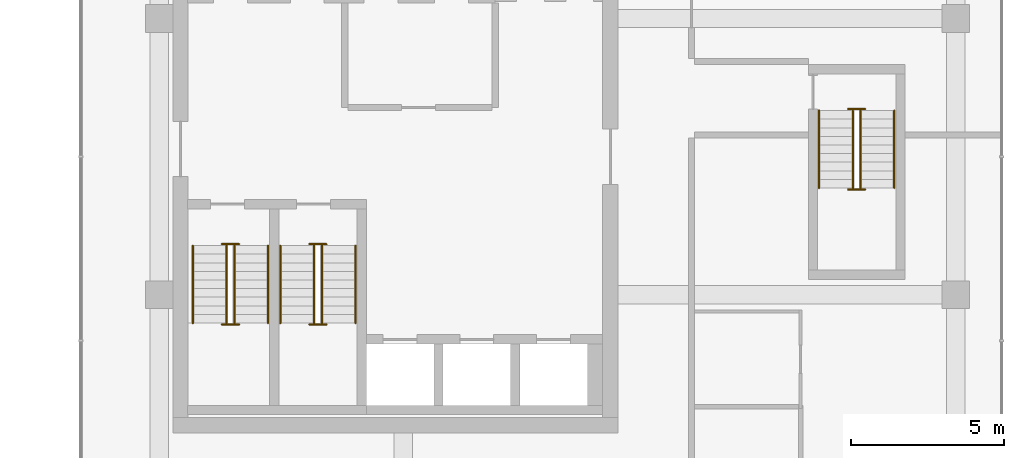
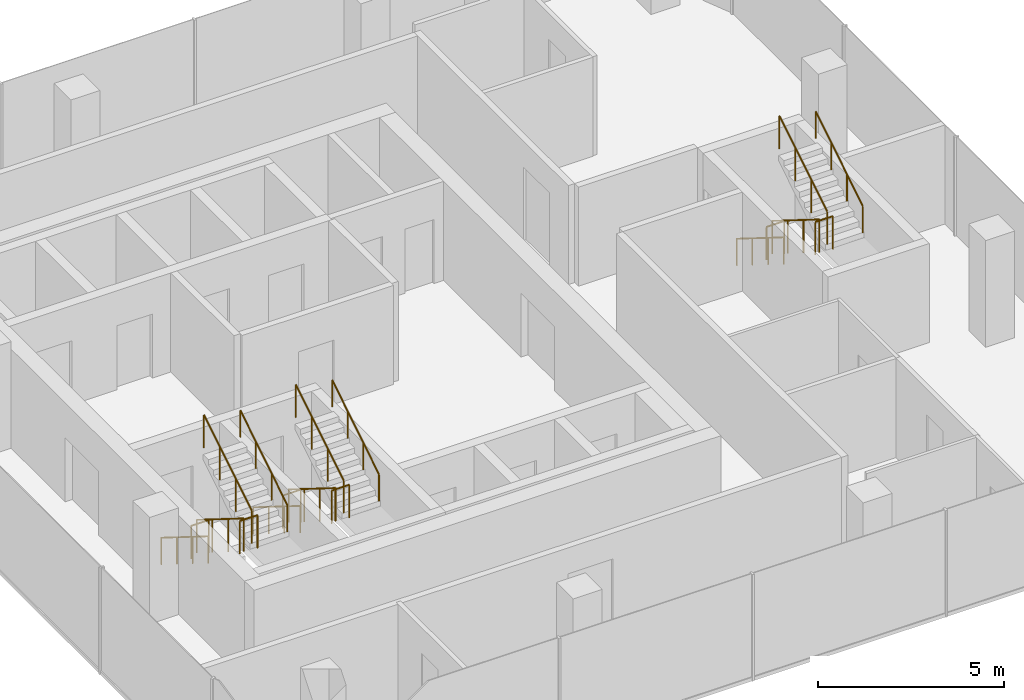
# One storey, part 22 of 22: 18 railings.
"""IFC4 building model written with IfcOpenShell, lengths in metres."""

import ifcopenshell
import ifcopenshell.guid

model = None  # the IFC model being written
_history = None  # IfcOwnerHistory: only IFC2X3 demands one
_inside = {}  # id of a spatial element -> (the spatial element, [elements in it])
_under = {}  # id of a project, library or spatial element -> (it, [spatial elements below it])
_declared = {}  # id of a project -> (the project, [libraries it declares])
_typed = {}  # id of a type object -> (the type object, [elements of that type])
_made_of = {}  # id of a material, layer set ... -> (it, [elements and type objects made of it])


def new_model(schema):
    """Start an empty IFC model of exactly this schema.

    Asked for "IFC4X3", IfcOpenShell would pick the latest addendum, in which some entities
    have other attributes; the version numbers below select the first issue.
    IFC2X3 requires an IfcOwnerHistory on every rooted entity: one is made here for all.
    """
    global model, _history
    if schema == "IFC4X3":
        model = ifcopenshell.file(schema_version=(4, 3, 0, 0))
    else:
        model = ifcopenshell.file(schema=schema)
    _inside.clear()
    _under.clear()
    _declared.clear()
    _typed.clear()
    _made_of.clear()
    _history = None
    if model.schema == "IFC2X3":
        org = make("IfcOrganization", Name="unknown")
        user = make(
            "IfcPersonAndOrganization",
            ThePerson=make("IfcPerson", FamilyName="unknown"),
            TheOrganization=org,
        )
        app = make(
            "IfcApplication",
            ApplicationDeveloper=org,
            Version="unknown",
            ApplicationFullName="unknown",
            ApplicationIdentifier="unknown",
        )
        _history = make(
            "IfcOwnerHistory",
            OwningUser=user,
            OwningApplication=app,
            ChangeAction="ADDED",
            CreationDate=0,
        )
    return model


def make(cls, **values):
    """One entity of the class cls with the attributes given. An attribute that is None is left unset."""
    return model.create_entity(
        cls, **{name: value for name, value in values.items() if value is not None}
    )


def rooted(cls, **values):
    """An entity with a GlobalId (a new one), such as an element, a storey or a relation."""
    return make(cls, GlobalId=ifcopenshell.guid.new(), OwnerHistory=_history, **values)


def si_unit(unit_type, name, prefix=None):
    """IfcSIUnit, for example si_unit("LENGTHUNIT", "METRE", prefix="MILLI")."""
    return make("IfcSIUnit", UnitType=unit_type, Prefix=prefix, Name=name)


def assignment(units):
    """IfcUnitAssignment: the units of a project."""
    return None if units is None else make("IfcUnitAssignment", Units=units)


def point(xyz):
    """IfcCartesianPoint."""
    return None if xyz is None else make("IfcCartesianPoint", Coordinates=xyz)


def direction(xyz):
    """IfcDirection."""
    return None if xyz is None else make("IfcDirection", DirectionRatios=xyz)


def frame(location, z_axis=None, x_axis=None):
    """IfcAxis2Placement3D, a coordinate frame: its origin and axes. An axis left out is left unset."""
    return make(
        "IfcAxis2Placement3D",
        Location=point(location),
        Axis=direction(z_axis),
        RefDirection=direction(x_axis),
    )


def frame_2d(location, x_axis=None):
    """IfcAxis2Placement2D, a coordinate frame in the plane: its origin and x axis."""
    return make(
        "IfcAxis2Placement2D", Location=point(location), RefDirection=direction(x_axis)
    )


def origin():
    """The frame at (0, 0, 0) with its axes left unset."""
    return frame((0.0, 0.0, 0.0))


def origin_2d():
    """The frame at (0, 0) in the plane with its x axis left unset."""
    return frame_2d((0.0, 0.0))


def place(relative_to, where):
    """IfcLocalPlacement: puts the frame where relative to a parent placement (None: the world)."""
    return make(
        "IfcLocalPlacement", PlacementRelTo=relative_to, RelativePlacement=where
    )


def context(
    kind, dimensions, precision=None, world=None, true_north=None, identifier=None
):
    """IfcGeometricRepresentationContext, for example the 3D "Model" context."""
    return make(
        "IfcGeometricRepresentationContext",
        ContextIdentifier=identifier,
        ContextType=kind,
        CoordinateSpaceDimension=dimensions,
        Precision=precision,
        WorldCoordinateSystem=world,
        TrueNorth=true_north,
    )


def subcontext(parent, identifier, kind, view, scale=None):
    """IfcGeometricRepresentationSubContext, for example "Body" below "Model"."""
    return make(
        "IfcGeometricRepresentationSubContext",
        ContextIdentifier=identifier,
        ContextType=kind,
        ParentContext=parent,
        TargetScale=scale,
        TargetView=view,
    )


def project(units=None, contexts=None):
    """IfcProject with its units and contexts."""
    return rooted(
        "IfcProject",
        Name="project",
        RepresentationContexts=contexts,
        UnitsInContext=assignment(units),
    )


def spatial(cls, under=None, at=None, **own):
    """A site, building, storey or space (cls), placed at a placement, below another one or the project."""
    s = rooted(cls, ObjectPlacement=at, **own)
    if under is not None:
        _under.setdefault(under.id(), (under, []))[1].append(s)
    return s


def profile(cls, at=None, kind="AREA", **sizes):
    """A parametric profile (cls). Its sizes go by their IFC names, for example OverallWidth=200.0."""
    return make(cls, ProfileType=kind, Position=at, **sizes)


def circle(**sizes):
    """IfcCircleProfileDef."""
    return profile("IfcCircleProfileDef", **sizes)


def extrude(swept, where, along, depth):
    """IfcExtrudedAreaSolid: the profile swept, set in the frame where, extruded along a direction by depth."""
    return make(
        "IfcExtrudedAreaSolid",
        SweptArea=swept,
        Position=where,
        ExtrudedDirection=direction(along),
        Depth=depth,
    )


def shape(context_of_items, identifier, shape_type, items):
    """IfcShapeRepresentation: the items that make up one representation, for example the "Body"."""
    return make(
        "IfcShapeRepresentation",
        ContextOfItems=context_of_items,
        RepresentationIdentifier=identifier,
        RepresentationType=shape_type,
        Items=items,
    )


def material(Name=None, Category=None):
    """IfcMaterial."""
    return make("IfcMaterial", Name=Name, Category=Category)


def made_of(thing, what):
    """Note that an element or type object is made of a material, layer set ...; save() writes the relation."""
    if what is not None:
        _made_of.setdefault(what.id(), (what, []))[1].append(thing)
    return thing


def type_object(cls, material=None, **own):
    """A type object (cls), such as IfcWallType, which elements share."""
    return made_of(rooted(cls, **own), material)


def element(
    cls,
    number,
    at=None,
    inside=None,
    cuts=None,
    type_object=None,
    material=None,
    context=None,
    identifier="Body",
    shape_type=None,
    held_by="IfcProductDefinitionShape",
    body=None,
    shapes=None,
    **own,
):
    """One element of the class cls, such as IfcWall. Its Tag is "e" and its number.

    at: its placement. inside: the storey or other place that contains it. cuts: it is an
    opening in that element (IfcRelVoidsElement). A single representation is given by context,
    identifier, shape_type and body (its items); several are given by shapes. held_by: the class
    of the entity that holds the representations. save() writes the other relations.
    """
    e = rooted(cls, Tag="e%d" % number, ObjectPlacement=at, **own)
    if body is not None:
        shapes = [shape(context, identifier, shape_type, body)]
    if shapes is not None:
        e.Representation = make(held_by, Representations=shapes)
    if inside is not None:
        _inside.setdefault(inside.id(), (inside, []))[1].append(e)
    if cuts is not None:
        rooted(
            "IfcRelVoidsElement", RelatingBuildingElement=cuts, RelatedOpeningElement=e
        )
    if type_object is not None:
        _typed.setdefault(type_object.id(), (type_object, []))[1].append(e)
    return made_of(e, material)


def aggregate(whole, parts):
    """IfcRelAggregates: a whole, such as a stair, and the parts it consists of."""
    return rooted("IfcRelAggregates", RelatingObject=whole, RelatedObjects=parts)


def save(model, path):
    """Write the relations noted so far, then the file.

    IfcRelAggregates (storeys below a building ...), IfcRelContainedInSpatialStructure (elements
    in a storey), IfcRelDefinesByType, IfcRelAssociatesMaterial and IfcRelDeclares: one each for
    every whole, place, type object, material and project.
    """
    for whole, parts in _under.values():
        aggregate(whole, parts)
    for where, things in _inside.values():
        rooted(
            "IfcRelContainedInSpatialStructure",
            RelatedElements=things,
            RelatingStructure=where,
        )
    for kind, things in _typed.values():
        rooted("IfcRelDefinesByType", RelatedObjects=things, RelatingType=kind)
    for what, things in _made_of.values():
        rooted("IfcRelAssociatesMaterial", RelatedObjects=things, RelatingMaterial=what)
    for by, libraries in _declared.values():
        rooted("IfcRelDeclares", RelatingContext=by, RelatedDefinitions=libraries)
    model.write(path)


model = new_model("IFC4")

# Units and contexts
model_context = context("Model", 3, precision=1e-05, world=origin(), true_north=direction((0.0, 1.0)))
body_context = subcontext(model_context, "Body", "Model", "MODEL_VIEW")
ifc_project = project(units=[si_unit("LENGTHUNIT", "METRE"), si_unit("AREAUNIT", "SQUARE_METRE"), si_unit("VOLUMEUNIT", "CUBIC_METRE"), si_unit("PLANEANGLEUNIT", "RADIAN"), si_unit("MASSUNIT", "GRAM", prefix="KILO")], contexts=[model_context])

# Site, building, storey
site_placement = place(None, origin())
site = spatial("IfcSite", under=ifc_project, at=site_placement, CompositionType="ELEMENT")
building_placement = place(site_placement, origin())
building = spatial("IfcBuilding", under=site, at=building_placement, Name="Plateau Cross Towers", CompositionType="ELEMENT")
storey_placement = place(building_placement, frame((0.0, 0.0, 58.300048828125)))
storey = spatial("IfcBuildingStorey", under=building, at=storey_placement, Name="L14", CompositionType="ELEMENT", Elevation=58.300048828125)

# Railings
ifc_material_1 = material(Name="Stainless steel and toughened glass", Category="steel")
railing_type_1 = type_object("IfcRailingType", Name="RL-GUARD-1100", PredefinedType="GUARDRAIL", material=ifc_material_1)
railing_1_placement = place(storey_placement, frame((76.75, 6.10009765625, 0.175048828125)))
element("IfcRailing", 1, at=railing_1_placement, inside=storey, type_object=railing_type_1, Name="L14 SB-1 stair guard 1", PredefinedType="GUARDRAIL", context=body_context, shape_type="SweptSolid", body=[
    extrude(circle(Radius=0.02392578125, at=origin_2d()), frame((0.0, 0.0, 1.076171875), z_axis=(0.0, -0.848007534815, 0.529984170421), x_axis=(1.0, 0.0, 0.0)), (0.0, 0.0, 1.0), 2.9716796875),
    extrude(circle(Radius=0.02099609375, at=origin_2d()), origin(), (0.0, 0.0, 1.0), 1.052001953125),
    extrude(circle(Radius=0.02099609375, at=origin_2d()), frame((0.0, -0.840087890625, 0.52490234375)), (0.0, 0.0, 1.0), 1.052001953125),
    extrude(circle(Radius=0.02099609375, at=origin_2d()), frame((0.0, -1.679931640625, 1.050048828125)), (0.0, 0.0, 1.0), 1.052001953125),
    extrude(circle(Radius=0.02099609375, at=origin_2d()), frame((0.0, -2.52001953125, 1.574951171875)), (0.0, 0.0, 1.0), 1.052001953125),
])
railing_2_placement = place(storey_placement, frame((76.60009765625, 3.530029296875, 1.75)))
element("IfcRailing", 2, at=railing_2_placement, inside=storey, type_object=railing_type_1, Name="L14 SB-1 stair guard 2", PredefinedType="GUARDRAIL", context=body_context, shape_type="SweptSolid", body=[
    extrude(circle(Radius=0.02392578125, at=origin_2d()), frame((0.0, 0.0, 1.076171875), z_axis=(1.0, 0.0, 0.0), x_axis=(0.0, 1.0, 0.0)), (0.0, 0.0, 1.0), 0.5498046875),
    extrude(circle(Radius=0.02099609375, at=origin_2d()), origin(), (0.0, 0.0, 1.0), 1.052001953125),
    extrude(circle(Radius=0.02099609375, at=origin_2d()), frame((0.5498046875, 0.0, 0.0)), (0.0, 0.0, 1.0), 1.052001953125),
])
railing_3_placement = place(storey_placement, frame((77.0, 3.580078125, 1.925048828125)))
element("IfcRailing", 3, at=railing_3_placement, inside=storey, type_object=railing_type_1, Name="L14 SB-1 stair guard 3", PredefinedType="GUARDRAIL", context=body_context, shape_type="SweptSolid", body=[
    extrude(circle(Radius=0.02392578125, at=origin_2d()), frame((0.0, 0.0, 1.076171875), z_axis=(0.0, 0.852616386126, 0.522537365276), x_axis=(-1.0, 0.0, 0.0)), (0.0, 0.0, 1.0), 3.01416015625),
    extrude(circle(Radius=0.02099609375, at=origin_2d()), origin(), (0.0, 0.0, 1.0), 1.052001953125),
    extrude(circle(Radius=0.02099609375, at=origin_2d()), frame((0.0, 0.856689453125, 0.52490234375)), (0.0, 0.0, 1.0), 1.052001953125),
    extrude(circle(Radius=0.02099609375, at=origin_2d()), frame((0.0, 1.713134765625, 1.050048828125)), (0.0, 0.0, 1.0), 1.052001953125),
    extrude(circle(Radius=0.02099609375, at=origin_2d()), frame((0.0, 2.56982421875, 1.574951171875)), (0.0, 0.0, 1.0), 1.052001953125),
])
railing_4_placement = place(storey_placement, frame((76.60009765625, 6.14990234375, 0.0)))
element("IfcRailing", 4, at=railing_4_placement, inside=storey, type_object=railing_type_1, Name="L14 SB-1 stair guard 4", PredefinedType="GUARDRAIL", context=body_context, shape_type="SweptSolid", body=[
    extrude(circle(Radius=0.02392578125, at=origin_2d()), frame((0.0, 0.0, 1.076171875), z_axis=(1.0, 0.0, 0.0), x_axis=(0.0, 1.0, 0.0)), (0.0, 0.0, 1.0), 0.5498046875),
    extrude(circle(Radius=0.02099609375, at=origin_2d()), origin(), (0.0, 0.0, 1.0), 1.052001953125),
    extrude(circle(Radius=0.02099609375, at=origin_2d()), frame((0.5498046875, 0.0, 0.0)), (0.0, 0.0, 1.0), 1.052001953125),
])
railing_5_placement = place(storey_placement, frame((79.60009765625, 6.10009765625, 0.175048828125)))
element("IfcRailing", 5, at=railing_5_placement, inside=storey, type_object=railing_type_1, Name="L14 SB-2 stair guard 1", PredefinedType="GUARDRAIL", context=body_context, shape_type="SweptSolid", body=[
    extrude(circle(Radius=0.02392578125, at=origin_2d()), frame((0.0, 0.0, 1.076171875), z_axis=(0.0, -0.848007534815, 0.529984170421), x_axis=(1.0, 0.0, 0.0)), (0.0, 0.0, 1.0), 2.9716796875),
    extrude(circle(Radius=0.02099609375, at=origin_2d()), origin(), (0.0, 0.0, 1.0), 1.052001953125),
    extrude(circle(Radius=0.02099609375, at=origin_2d()), frame((0.0, -0.840087890625, 0.52490234375)), (0.0, 0.0, 1.0), 1.052001953125),
    extrude(circle(Radius=0.02099609375, at=origin_2d()), frame((0.0, -1.679931640625, 1.050048828125)), (0.0, 0.0, 1.0), 1.052001953125),
    extrude(circle(Radius=0.02099609375, at=origin_2d()), frame((0.0, -2.52001953125, 1.574951171875)), (0.0, 0.0, 1.0), 1.052001953125),
])
railing_6_placement = place(storey_placement, frame((79.449951171875, 3.530029296875, 1.75)))
element("IfcRailing", 6, at=railing_6_placement, inside=storey, type_object=railing_type_1, Name="L14 SB-2 stair guard 2", PredefinedType="GUARDRAIL", context=body_context, shape_type="SweptSolid", body=[
    extrude(circle(Radius=0.02392578125, at=origin_2d()), frame((0.0, 0.0, 1.076171875), z_axis=(1.0, 0.0, 0.0), x_axis=(0.0, 1.0, 0.0)), (0.0, 0.0, 1.0), 0.550048828125),
    extrude(circle(Radius=0.02099609375, at=origin_2d()), origin(), (0.0, 0.0, 1.0), 1.052001953125),
    extrude(circle(Radius=0.02099609375, at=origin_2d()), frame((0.550048828125, 0.0, 0.0)), (0.0, 0.0, 1.0), 1.052001953125),
])
railing_7_placement = place(storey_placement, frame((79.85009765625, 3.580078125, 1.925048828125)))
element("IfcRailing", 7, at=railing_7_placement, inside=storey, type_object=railing_type_1, Name="L14 SB-2 stair guard 3", PredefinedType="GUARDRAIL", context=body_context, shape_type="SweptSolid", body=[
    extrude(circle(Radius=0.02392578125, at=origin_2d()), frame((0.0, 0.0, 1.076171875), z_axis=(0.0, 0.852616386126, 0.522537365276), x_axis=(-1.0, 0.0, 0.0)), (0.0, 0.0, 1.0), 3.01416015625),
    extrude(circle(Radius=0.02099609375, at=origin_2d()), origin(), (0.0, 0.0, 1.0), 1.052001953125),
    extrude(circle(Radius=0.02099609375, at=origin_2d()), frame((0.0, 0.856689453125, 0.52490234375)), (0.0, 0.0, 1.0), 1.052001953125),
    extrude(circle(Radius=0.02099609375, at=origin_2d()), frame((0.0, 1.713134765625, 1.050048828125)), (0.0, 0.0, 1.0), 1.052001953125),
    extrude(circle(Radius=0.02099609375, at=origin_2d()), frame((0.0, 2.56982421875, 1.574951171875)), (0.0, 0.0, 1.0), 1.052001953125),
])
railing_8_placement = place(storey_placement, frame((79.449951171875, 6.14990234375, 0.0)))
element("IfcRailing", 8, at=railing_8_placement, inside=storey, type_object=railing_type_1, Name="L14 SB-2 stair guard 4", PredefinedType="GUARDRAIL", context=body_context, shape_type="SweptSolid", body=[
    extrude(circle(Radius=0.02392578125, at=origin_2d()), frame((0.0, 0.0, 1.076171875), z_axis=(1.0, 0.0, 0.0), x_axis=(0.0, 1.0, 0.0)), (0.0, 0.0, 1.0), 0.550048828125),
    extrude(circle(Radius=0.02099609375, at=origin_2d()), origin(), (0.0, 0.0, 1.0), 1.052001953125),
    extrude(circle(Radius=0.02099609375, at=origin_2d()), frame((0.550048828125, 0.0, 0.0)), (0.0, 0.0, 1.0), 1.052001953125),
])
railing_9_placement = place(storey_placement, frame((97.14990234375, 10.5, 0.175048828125)))
element("IfcRailing", 9, at=railing_9_placement, inside=storey, type_object=railing_type_1, Name="L14 SB-3 stair guard 1", PredefinedType="GUARDRAIL", context=body_context, shape_type="SweptSolid", body=[
    extrude(circle(Radius=0.02392578125, at=origin_2d()), frame((0.0, 0.0, 1.076171875), z_axis=(0.0, -0.848007534815, 0.529984170421), x_axis=(1.0, 0.0, 0.0)), (0.0, 0.0, 1.0), 2.9716796875),
    extrude(circle(Radius=0.02099609375, at=origin_2d()), origin(), (0.0, 0.0, 1.0), 1.052001953125),
    extrude(circle(Radius=0.02099609375, at=origin_2d()), frame((0.0, -0.840087890625, 0.52490234375)), (0.0, 0.0, 1.0), 1.052001953125),
    extrude(circle(Radius=0.02099609375, at=origin_2d()), frame((0.0, -1.679931640625, 1.050048828125)), (0.0, 0.0, 1.0), 1.052001953125),
    extrude(circle(Radius=0.02099609375, at=origin_2d()), frame((0.0, -2.52001953125, 1.574951171875)), (0.0, 0.0, 1.0), 1.052001953125),
])
railing_10_placement = place(storey_placement, frame((97.0, 7.929931640625, 1.75)))
element("IfcRailing", 10, at=railing_10_placement, inside=storey, type_object=railing_type_1, Name="L14 SB-3 stair guard 2", PredefinedType="GUARDRAIL", context=body_context, shape_type="SweptSolid", body=[
    extrude(circle(Radius=0.02392578125, at=origin_2d()), frame((0.0, 0.0, 1.076171875), z_axis=(1.0, 0.0, 0.0), x_axis=(0.0, 1.0, 0.0)), (0.0, 0.0, 1.0), 0.550048828125),
    extrude(circle(Radius=0.02099609375, at=origin_2d()), origin(), (0.0, 0.0, 1.0), 1.052001953125),
    extrude(circle(Radius=0.02099609375, at=origin_2d()), frame((0.550048828125, 0.0, 0.0)), (0.0, 0.0, 1.0), 1.052001953125),
])
railing_11_placement = place(storey_placement, frame((97.39990234375, 7.97998046875, 1.925048828125)))
element("IfcRailing", 11, at=railing_11_placement, inside=storey, type_object=railing_type_1, Name="L14 SB-3 stair guard 3", PredefinedType="GUARDRAIL", context=body_context, shape_type="SweptSolid", body=[
    extrude(circle(Radius=0.02392578125, at=origin_2d()), frame((0.0, 0.0, 1.076171875), z_axis=(0.0, 0.852638500773, 0.522501279423), x_axis=(-1.0, 0.0, 0.0)), (0.0, 0.0, 1.0), 3.01416015625),
    extrude(circle(Radius=0.02099609375, at=origin_2d()), origin(), (0.0, 0.0, 1.0), 1.052001953125),
    extrude(circle(Radius=0.02099609375, at=origin_2d()), frame((0.0, 0.856689453125, 0.52490234375)), (0.0, 0.0, 1.0), 1.052001953125),
    extrude(circle(Radius=0.02099609375, at=origin_2d()), frame((0.0, 1.71337890625, 1.050048828125)), (0.0, 0.0, 1.0), 1.052001953125),
    extrude(circle(Radius=0.02099609375, at=origin_2d()), frame((0.0, 2.570068359375, 1.574951171875)), (0.0, 0.0, 1.0), 1.052001953125),
])
railing_12_placement = place(storey_placement, frame((97.0, 10.550048828125, 0.0)))
element("IfcRailing", 12, at=railing_12_placement, inside=storey, type_object=railing_type_1, Name="L14 SB-3 stair guard 4", PredefinedType="GUARDRAIL", context=body_context, shape_type="SweptSolid", body=[
    extrude(circle(Radius=0.02392578125, at=origin_2d()), frame((0.0, 0.0, 1.076171875), z_axis=(1.0, 0.0, 0.0), x_axis=(0.0, 1.0, 0.0)), (0.0, 0.0, 1.0), 0.550048828125),
    extrude(circle(Radius=0.02099609375, at=origin_2d()), origin(), (0.0, 0.0, 1.0), 1.052001953125),
    extrude(circle(Radius=0.02099609375, at=origin_2d()), frame((0.550048828125, 0.0, 0.0)), (0.0, 0.0, 1.0), 1.052001953125),
])
ifc_material_2 = material(Name="Black anodised aluminium", Category="aluminium")
railing_type_2 = type_object("IfcRailingType", Name="RL-HANDRAIL-900", PredefinedType="HANDRAIL", material=ifc_material_2)
railing_13_placement = place(storey_placement, frame((75.64990234375, 6.10009765625, 0.175048828125)))
element("IfcRailing", 13, at=railing_13_placement, inside=storey, type_object=railing_type_2, Name="L14 SB-1 stair handrail 1", PredefinedType="HANDRAIL", context=body_context, shape_type="SweptSolid", body=[
    extrude(circle(Radius=0.02392578125, at=origin_2d()), frame((0.0, 0.0, 0.8759765625), z_axis=(0.0, -0.848007534815, 0.529984170421), x_axis=(1.0, 0.0, 0.0)), (0.0, 0.0, 1.0), 2.9716796875),
    extrude(circle(Radius=0.02099609375, at=origin_2d()), origin(), (0.0, 0.0, 1.0), 0.851806640625),
    extrude(circle(Radius=0.02099609375, at=origin_2d()), frame((0.0, -0.840087890625, 0.52490234375)), (0.0, 0.0, 1.0), 0.851806640625),
    extrude(circle(Radius=0.02099609375, at=origin_2d()), frame((0.0, -1.679931640625, 1.050048828125)), (0.0, 0.0, 1.0), 0.851806640625),
    extrude(circle(Radius=0.02099609375, at=origin_2d()), frame((0.0, -2.52001953125, 1.574951171875)), (0.0, 0.0, 1.0), 0.851806640625),
])
railing_14_placement = place(storey_placement, frame((78.10009765625, 3.580078125, 1.925048828125)))
element("IfcRailing", 14, at=railing_14_placement, inside=storey, type_object=railing_type_2, Name="L14 SB-1 stair handrail 2", PredefinedType="HANDRAIL", context=body_context, shape_type="SweptSolid", body=[
    extrude(circle(Radius=0.02392578125, at=origin_2d()), frame((0.0, 0.0, 0.8759765625), z_axis=(0.0, 0.848007534815, 0.529984170421), x_axis=(-1.0, 0.0, 0.0)), (0.0, 0.0, 1.0), 2.9716796875),
    extrude(circle(Radius=0.02099609375, at=origin_2d()), origin(), (0.0, 0.0, 1.0), 0.851806640625),
    extrude(circle(Radius=0.02099609375, at=origin_2d()), frame((0.0, 0.840087890625, 0.52490234375)), (0.0, 0.0, 1.0), 0.851806640625),
    extrude(circle(Radius=0.02099609375, at=origin_2d()), frame((0.0, 1.679931640625, 1.050048828125)), (0.0, 0.0, 1.0), 0.851806640625),
    extrude(circle(Radius=0.02099609375, at=origin_2d()), frame((0.0, 2.52001953125, 1.574951171875)), (0.0, 0.0, 1.0), 0.851806640625),
])
railing_15_placement = place(storey_placement, frame((78.5, 6.10009765625, 0.175048828125)))
element("IfcRailing", 15, at=railing_15_placement, inside=storey, type_object=railing_type_2, Name="L14 SB-2 stair handrail 1", PredefinedType="HANDRAIL", context=body_context, shape_type="SweptSolid", body=[
    extrude(circle(Radius=0.02392578125, at=origin_2d()), frame((0.0, 0.0, 0.8759765625), z_axis=(0.0, -0.848007534815, 0.529984170421), x_axis=(1.0, 0.0, 0.0)), (0.0, 0.0, 1.0), 2.9716796875),
    extrude(circle(Radius=0.02099609375, at=origin_2d()), origin(), (0.0, 0.0, 1.0), 0.851806640625),
    extrude(circle(Radius=0.02099609375, at=origin_2d()), frame((0.0, -0.840087890625, 0.52490234375)), (0.0, 0.0, 1.0), 0.851806640625),
    extrude(circle(Radius=0.02099609375, at=origin_2d()), frame((0.0, -1.679931640625, 1.050048828125)), (0.0, 0.0, 1.0), 0.851806640625),
    extrude(circle(Radius=0.02099609375, at=origin_2d()), frame((0.0, -2.52001953125, 1.574951171875)), (0.0, 0.0, 1.0), 0.851806640625),
])
railing_16_placement = place(storey_placement, frame((80.949951171875, 3.580078125, 1.925048828125)))
element("IfcRailing", 16, at=railing_16_placement, inside=storey, type_object=railing_type_2, Name="L14 SB-2 stair handrail 2", PredefinedType="HANDRAIL", context=body_context, shape_type="SweptSolid", body=[
    extrude(circle(Radius=0.02392578125, at=origin_2d()), frame((0.0, 0.0, 0.8759765625), z_axis=(0.0, 0.848007534815, 0.529984170421), x_axis=(-1.0, 0.0, 0.0)), (0.0, 0.0, 1.0), 2.9716796875),
    extrude(circle(Radius=0.02099609375, at=origin_2d()), origin(), (0.0, 0.0, 1.0), 0.851806640625),
    extrude(circle(Radius=0.02099609375, at=origin_2d()), frame((0.0, 0.840087890625, 0.52490234375)), (0.0, 0.0, 1.0), 0.851806640625),
    extrude(circle(Radius=0.02099609375, at=origin_2d()), frame((0.0, 1.679931640625, 1.050048828125)), (0.0, 0.0, 1.0), 0.851806640625),
    extrude(circle(Radius=0.02099609375, at=origin_2d()), frame((0.0, 2.52001953125, 1.574951171875)), (0.0, 0.0, 1.0), 0.851806640625),
])
railing_17_placement = place(storey_placement, frame((96.050048828125, 10.5, 0.175048828125)))
element("IfcRailing", 17, at=railing_17_placement, inside=storey, type_object=railing_type_2, Name="L14 SB-3 stair handrail 1", PredefinedType="HANDRAIL", context=body_context, shape_type="SweptSolid", body=[
    extrude(circle(Radius=0.02392578125, at=origin_2d()), frame((0.0, 0.0, 0.8759765625), z_axis=(0.0, -0.848007534815, 0.529984170421), x_axis=(1.0, 0.0, 0.0)), (0.0, 0.0, 1.0), 2.9716796875),
    extrude(circle(Radius=0.02099609375, at=origin_2d()), origin(), (0.0, 0.0, 1.0), 0.851806640625),
    extrude(circle(Radius=0.02099609375, at=origin_2d()), frame((0.0, -0.840087890625, 0.52490234375)), (0.0, 0.0, 1.0), 0.851806640625),
    extrude(circle(Radius=0.02099609375, at=origin_2d()), frame((0.0, -1.679931640625, 1.050048828125)), (0.0, 0.0, 1.0), 0.851806640625),
    extrude(circle(Radius=0.02099609375, at=origin_2d()), frame((0.0, -2.52001953125, 1.574951171875)), (0.0, 0.0, 1.0), 0.851806640625),
])
railing_18_placement = place(storey_placement, frame((98.5, 7.97998046875, 1.925048828125)))
element("IfcRailing", 18, at=railing_18_placement, inside=storey, type_object=railing_type_2, Name="L14 SB-3 stair handrail 2", PredefinedType="HANDRAIL", context=body_context, shape_type="SweptSolid", body=[
    extrude(circle(Radius=0.02392578125, at=origin_2d()), frame((0.0, 0.0, 0.8759765625), z_axis=(0.0, 0.848007534815, 0.529984170421), x_axis=(-1.0, 0.0, 0.0)), (0.0, 0.0, 1.0), 2.9716796875),
    extrude(circle(Radius=0.02099609375, at=origin_2d()), origin(), (0.0, 0.0, 1.0), 0.851806640625),
    extrude(circle(Radius=0.02099609375, at=origin_2d()), frame((0.0, 0.840087890625, 0.52490234375)), (0.0, 0.0, 1.0), 0.851806640625),
    extrude(circle(Radius=0.02099609375, at=origin_2d()), frame((0.0, 1.679931640625, 1.050048828125)), (0.0, 0.0, 1.0), 0.851806640625),
    extrude(circle(Radius=0.02099609375, at=origin_2d()), frame((0.0, 2.52001953125, 1.574951171875)), (0.0, 0.0, 1.0), 0.851806640625),
])

save(model, "model.ifc")
